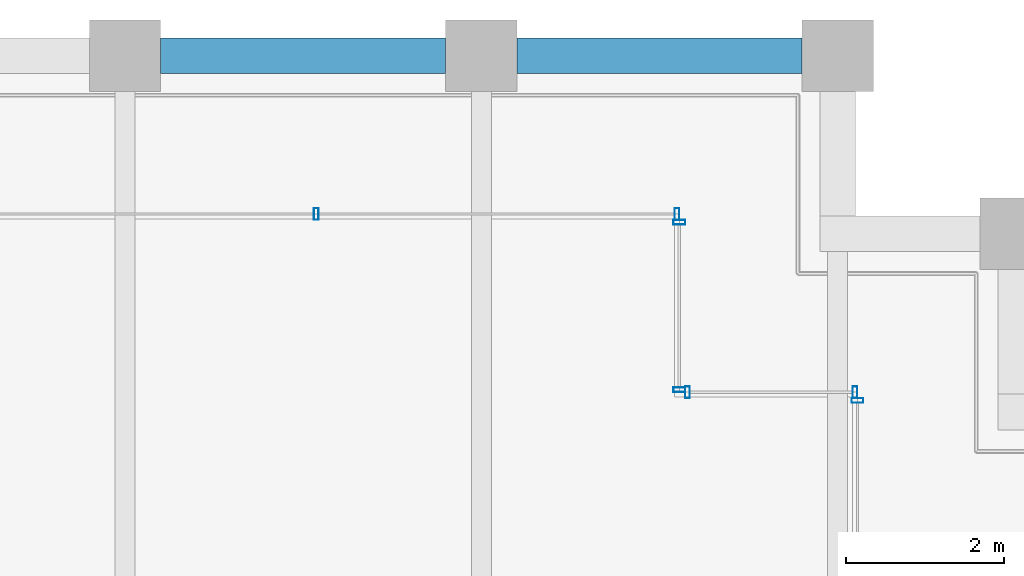
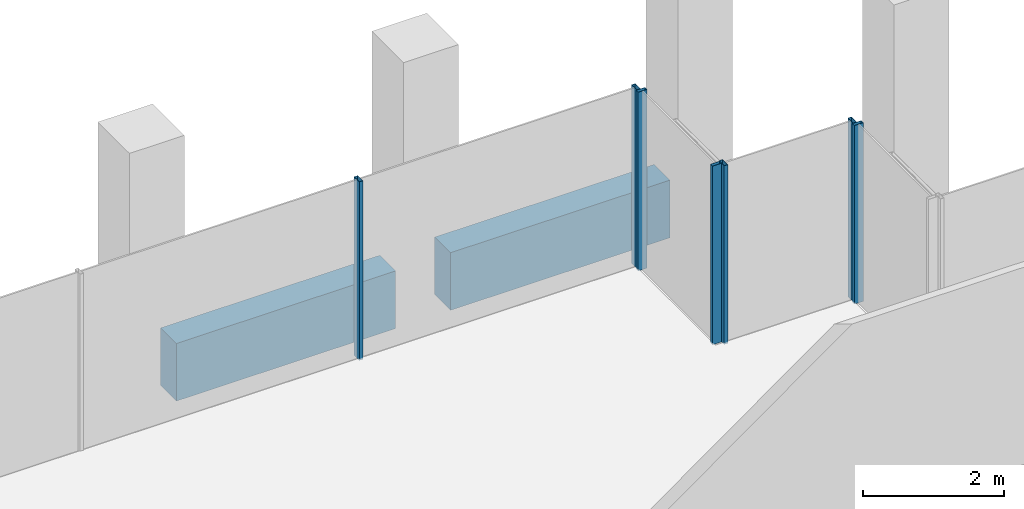
# One storey, part 26 of 40: 7 members, 2 beams, 4 elements without a shape of their own.
"""IFC4 building model written with IfcOpenShell, lengths in metres."""

from ifc_helpers import new_model, si_unit, direction, frame, origin, origin_2d, place, context, subcontext, project, spatial, rectangle, hollow_rectangle, extrude, material, material_profile, profile_set, type_object, element, aggregate, save


model = new_model("IFC4")

# Units and contexts
model_context = context("Model", 3, precision=1e-05, world=origin(), true_north=direction((0.0, 1.0)))
body_context = subcontext(model_context, "Body", "Model", "MODEL_VIEW")
ifc_project = project(units=[si_unit("LENGTHUNIT", "METRE"), si_unit("AREAUNIT", "SQUARE_METRE"), si_unit("VOLUMEUNIT", "CUBIC_METRE"), si_unit("PLANEANGLEUNIT", "RADIAN"), si_unit("MASSUNIT", "GRAM", prefix="KILO")], contexts=[model_context])

# Site, building, storey
site_placement = place(None, origin())
site = spatial("IfcSite", under=ifc_project, at=site_placement, CompositionType="ELEMENT")
building_placement = place(site_placement, origin())
building = spatial("IfcBuilding", under=site, at=building_placement, Name="Altepetl Exchange Towers", CompositionType="ELEMENT")
storey_placement = place(building_placement, frame((0.0, 0.0, 179.800048828125)))
storey = spatial("IfcBuildingStorey", under=building, at=storey_placement, Name="L45", CompositionType="ELEMENT", Elevation=179.800048828125)

# Curtain wall, member
ifc_material_1 = material(Name="Aluminium 6063-T6 glazing", Category="aluminium")
curtain_wall_type = type_object("IfcCurtainWallType", Name="Loggia glazing system", PredefinedType="NOTDEFINED", material=ifc_material_1)
curtain_wall_1_placement = place(storey_placement, origin())
curtain_wall_1 = element("IfcCurtainWall", 1, at=curtain_wall_1_placement, inside=storey, type_object=curtain_wall_type, Name="CW1 run", PredefinedType="NOTDEFINED")
ifc_material_2 = material(Name="Aluminium 6063-T6", Category="aluminium")
ifc_material_profile_1 = material_profile(ifc_material_2, hollow_rectangle(XDim=0.06005859375, YDim=0.14990234375, WallThickness=0.0029296875, at=origin_2d()), Name="Mullion 60x150 aluminium")
ifc_profile_set_1 = profile_set([ifc_material_profile_1], Name="Aluminium 6063-T6")
member_type = type_object("IfcMemberType", Name="Mullion 60x150 aluminium", PredefinedType="MULLION", material=ifc_profile_set_1)
member_1_placement = place(storey_placement, frame((67.75, 67.64501953125, 0.0), z_axis=(0.0, 0.0, 1.0), x_axis=(0.0, 1.0, 0.0)))
member_1 = element("IfcMember", 2, at=member_1_placement, type_object=member_type, Name="MU1 mullion", PredefinedType="MULLION", context=body_context, shape_type="SweptSolid", body=[
    extrude(hollow_rectangle(XDim=0.06005859375, YDim=0.14990234375, WallThickness=0.0029296875, at=origin_2d()), origin(), (0.0, 0.0, 1.0), 3.099853515625),
])
aggregate(curtain_wall_1, [member_1])

# Curtain wall, members
curtain_wall_2_placement = place(storey_placement, origin())
curtain_wall_2 = element("IfcCurtainWall", 3, at=curtain_wall_2_placement, inside=storey, type_object=curtain_wall_type, Name="CW1 run", PredefinedType="NOTDEFINED")
member_2_placement = place(storey_placement, frame((67.719970703125, 67.75, 0.0), z_axis=(0.0, 0.0, 1.0), x_axis=(-1.0, 0.0, 0.0)))
member_2 = element("IfcMember", 4, at=member_2_placement, type_object=member_type, Name="MU1 mullion", PredefinedType="MULLION", context=body_context, shape_type="SweptSolid", body=[
    extrude(hollow_rectangle(XDim=0.06005859375, YDim=0.14990234375, WallThickness=0.0029296875, at=origin_2d()), origin(), (0.0, 0.0, 1.0), 3.099853515625),
])
member_3_placement = place(storey_placement, frame((65.60498046875, 67.75, 0.0), z_axis=(0.0, 0.0, 1.0), x_axis=(-1.0, 0.0, 0.0)))
member_3 = element("IfcMember", 5, at=member_3_placement, type_object=member_type, Name="MU1 mullion", PredefinedType="MULLION", context=body_context, shape_type="SweptSolid", body=[
    extrude(hollow_rectangle(XDim=0.06005859375, YDim=0.14990234375, WallThickness=0.0029296875, at=origin_2d()), origin(), (0.0, 0.0, 1.0), 3.099853515625),
])
aggregate(curtain_wall_2, [member_2, member_3])

curtain_wall_3_placement = place(storey_placement, origin())
curtain_wall_3 = element("IfcCurtainWall", 6, at=curtain_wall_3_placement, inside=storey, type_object=curtain_wall_type, Name="CW1 run", PredefinedType="NOTDEFINED")
member_4_placement = place(storey_placement, frame((65.5, 67.780029296875, 0.0), z_axis=(0.0, 0.0, 1.0), x_axis=(0.0, 1.0, 0.0)))
member_4 = element("IfcMember", 7, at=member_4_placement, type_object=member_type, Name="MU1 mullion", PredefinedType="MULLION", context=body_context, shape_type="SweptSolid", body=[
    extrude(hollow_rectangle(XDim=0.06005859375, YDim=0.14990234375, WallThickness=0.0029296875, at=origin_2d()), origin(), (0.0, 0.0, 1.0), 3.099853515625),
])
member_5_placement = place(storey_placement, frame((65.5, 69.89501953125, 0.0), z_axis=(0.0, 0.0, 1.0), x_axis=(0.0, 1.0, 0.0)))
member_5 = element("IfcMember", 8, at=member_5_placement, type_object=member_type, Name="MU1 mullion", PredefinedType="MULLION", context=body_context, shape_type="SweptSolid", body=[
    extrude(hollow_rectangle(XDim=0.06005859375, YDim=0.14990234375, WallThickness=0.0029296875, at=origin_2d()), origin(), (0.0, 0.0, 1.0), 3.099853515625),
])
aggregate(curtain_wall_3, [member_4, member_5])

curtain_wall_4_placement = place(storey_placement, origin())
curtain_wall_4 = element("IfcCurtainWall", 9, at=curtain_wall_4_placement, inside=storey, type_object=curtain_wall_type, Name="CW1 run", PredefinedType="NOTDEFINED")
member_6_placement = place(storey_placement, frame((65.469970703125, 70.0, 0.0), z_axis=(0.0, 0.0, 1.0), x_axis=(-1.0, 0.0, 0.0)))
member_6 = element("IfcMember", 10, at=member_6_placement, type_object=member_type, Name="MU1 mullion", PredefinedType="MULLION", context=body_context, shape_type="SweptSolid", body=[
    extrude(hollow_rectangle(XDim=0.06005859375, YDim=0.14990234375, WallThickness=0.0029296875, at=origin_2d()), origin(), (0.0, 0.0, 1.0), 3.099853515625),
])
member_7_placement = place(storey_placement, frame((60.9150390625, 70.0, 0.0), z_axis=(0.0, 0.0, 1.0), x_axis=(-1.0, 0.0, 0.0)))
member_7 = element("IfcMember", 11, at=member_7_placement, type_object=member_type, Name="MU1 mullion", PredefinedType="MULLION", context=body_context, shape_type="SweptSolid", body=[
    extrude(hollow_rectangle(XDim=0.06005859375, YDim=0.14990234375, WallThickness=0.0029296875, at=origin_2d()), origin(), (0.0, 0.0, 1.0), 3.099853515625),
])
aggregate(curtain_wall_4, [member_6, member_7])

# Beams
ifc_material_3 = material(Name="Concrete C50/60 precast with cantera rosa facing", Category="concrete")
ifc_material_profile_2 = material_profile(ifc_material_3, rectangle(XDim=0.449951171875, YDim=1.0, at=origin_2d()), Name="450 x 1000")
ifc_profile_set_2 = profile_set([ifc_material_profile_2], Name="Concrete C50/60 precast with cantera rosa facing")
beam_type = type_object("IfcBeamType", Name="Spandrel beam 450x1000 cantera rosa", PredefinedType="SPANDREL", material=ifc_profile_set_2)
for number, where, z_axis, x_axis, name in (
    (12, (67.050048828125, 72.0, -0.650146484375), (-1.0, 0.0, 0.0), (0.0, -1.0, 0.0), "sp:A:L45:024"),
    (13, (62.550048828125, 72.0, -0.650146484375), (-1.0, 0.0, 0.0), (0.0, -1.0, 0.0), "sp:A:L45:025"),
):
    element("IfcBeam", number, at=place(storey_placement, frame(where, z_axis=z_axis, x_axis=x_axis)), inside=storey, type_object=beam_type, Name=name, PredefinedType="SPANDREL", context=body_context, shape_type="SweptSolid", body=[
        extrude(rectangle(XDim=0.449951171875, YDim=1.0, at=origin_2d()), origin(), (0.0, 0.0, 1.0), 3.60009765625),
    ])

save(model, "model.ifc")
